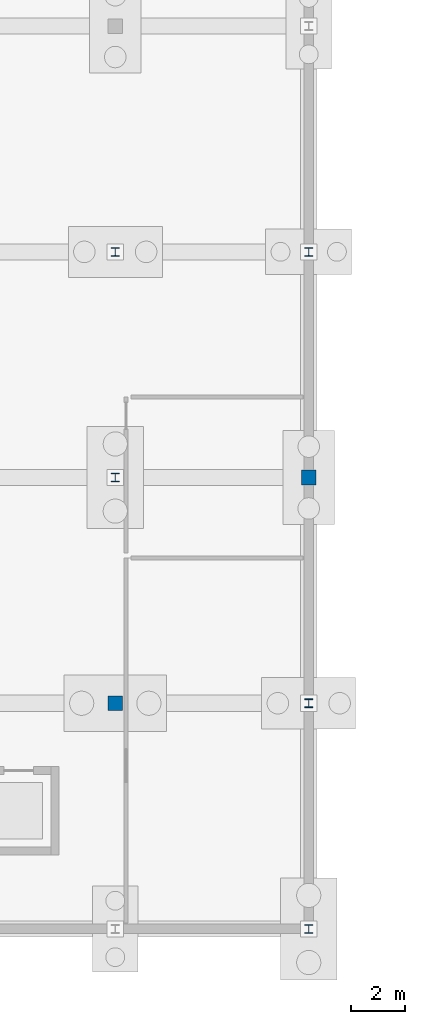
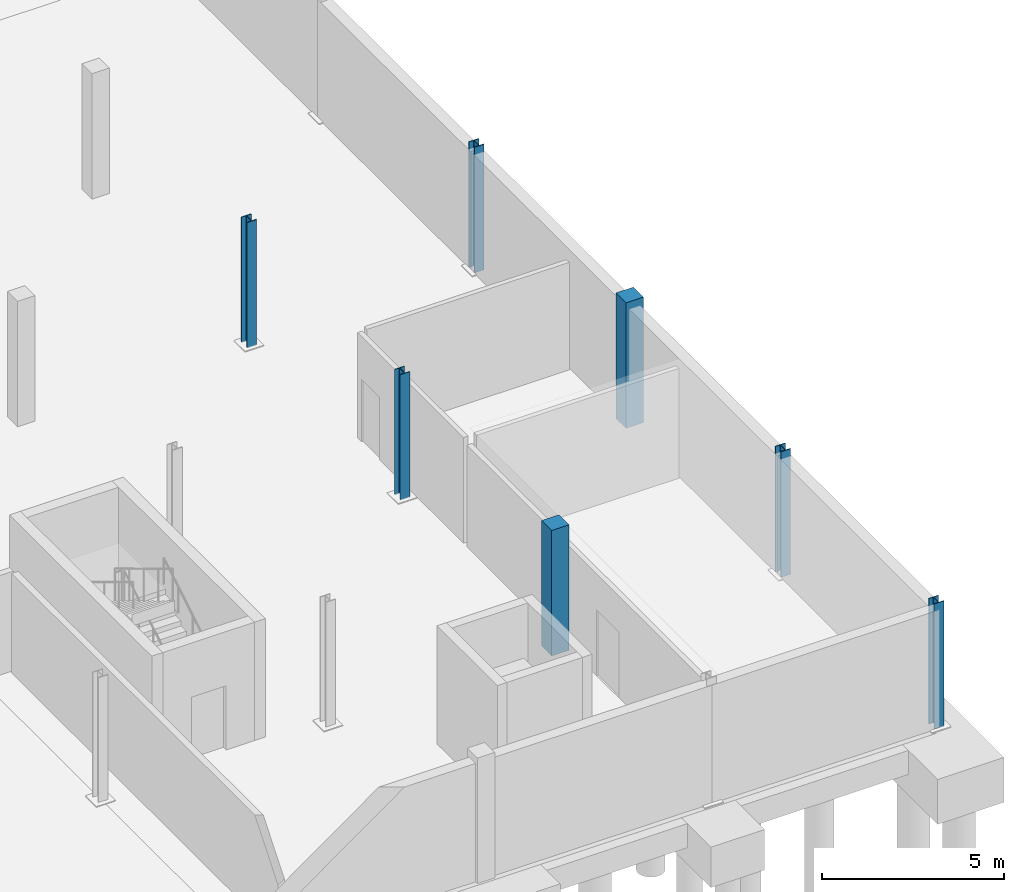
# One storey, part 7 of 32: 7 columns.
"""IFC4 building model written with IfcOpenShell, lengths in metres."""

from ifc_helpers import new_model, si_unit, direction, frame, origin, origin_2d, place, context, subcontext, project, spatial, rectangle, i_section, extrude, material, material_profile, profile_set, type_object, element, save


model = new_model("IFC4")

# Units and contexts
model_context = context("Model", 3, precision=1e-05, world=origin(), true_north=direction((0.0, 1.0)))
body_context = subcontext(model_context, "Body", "Model", "MODEL_VIEW")
ifc_project = project(units=[si_unit("LENGTHUNIT", "METRE"), si_unit("AREAUNIT", "SQUARE_METRE"), si_unit("VOLUMEUNIT", "CUBIC_METRE"), si_unit("PLANEANGLEUNIT", "RADIAN"), si_unit("MASSUNIT", "GRAM", prefix="KILO")], contexts=[model_context])

# Site, building, storey
site_placement = place(None, origin())
site = spatial("IfcSite", under=ifc_project, at=site_placement, CompositionType="ELEMENT")
building_placement = place(site_placement, origin())
building = spatial("IfcBuilding", under=site, at=building_placement, Name="Qelthora Terrace Specialist Clinic", CompositionType="ELEMENT")
storey_placement = place(building_placement, frame((0.0, 0.0, -4.199951171875)))
storey = spatial("IfcBuildingStorey", under=building, at=storey_placement, Name="B1", CompositionType="ELEMENT", Elevation=-4.199951171875)

# Columns
ifc_material_1 = material(Name="Concrete C40/50", Category="concrete")
ifc_material_profile_1 = material_profile(ifc_material_1, rectangle(XDim=0.550048828125, YDim=0.550048828125, at=origin_2d()), Name="RC550X550")
ifc_profile_set_1 = profile_set([ifc_material_profile_1], Name="Concrete C40/50")
column_type_1 = type_object("IfcColumnType", Name="COL-RC550", PredefinedType="COLUMN", material=ifc_profile_set_1)
for number, where, z_axis, x_axis, name in (
    (1, (36.0, 8.39990234375, 0.0), (0.0, 0.0, 1.0), (1.0, 0.0, 0.0), "Column B1-066"),
    (2, (43.199951171875, 16.800048828125, 0.0), (0.0, 0.0, 1.0), (1.0, 0.0, 0.0), "Column B1-081"),
):
    element("IfcColumn", number, at=place(storey_placement, frame(where, z_axis=z_axis, x_axis=x_axis)), inside=storey, type_object=column_type_1, Name=name, PredefinedType="COLUMN", context=body_context, shape_type="SweptSolid", body=[
        extrude(rectangle(XDim=0.550048828125, YDim=0.550048828125, at=origin_2d()), origin(), (0.0, 0.0, 1.0), 4.199951171875),
    ])
ifc_material_2 = material(Name="Steel S355", Category="steel")
ifc_material_profile_2 = material_profile(ifc_material_2, i_section(OverallWidth=0.30810546875, OverallDepth=0.318115234375, WebThickness=0.01318359375, FlangeThickness=0.0205078125, FilletRadius=0.01611328125, at=origin_2d()), Name="W310X129")
ifc_profile_set_2 = profile_set([ifc_material_profile_2], Name="Steel S355")
column_type_2 = type_object("IfcColumnType", Name="COL-W310X129", PredefinedType="COLUMN", material=ifc_profile_set_2)
for number, where, z_axis, x_axis, name in (
    (3, (36.0, 16.800048828125, 0.0), (0.0, 0.0, 1.0), (1.0, 0.0, 0.0), "Column B1-067"),
    (4, (43.199951171875, 0.0, 0.0), (0.0, 0.0, 1.0), (1.0, 0.0, 0.0), "Column B1-079"),
):
    element("IfcColumn", number, at=place(storey_placement, frame(where, z_axis=z_axis, x_axis=x_axis)), inside=storey, type_object=column_type_2, Name=name, PredefinedType="COLUMN", context=body_context, shape_type="SweptSolid", body=[
        extrude(i_section(OverallWidth=0.30810546875, OverallDepth=0.318115234375, WebThickness=0.01318359375, FlangeThickness=0.0205078125, FilletRadius=0.01611328125, at=origin_2d()), origin(), (0.0, 0.0, 1.0), 4.199951171875),
    ])
ifc_material_profile_3 = material_profile(ifc_material_2, i_section(OverallWidth=0.30908203125, OverallDepth=0.322998046875, WebThickness=0.013916015625, FlangeThickness=0.02294921875, FilletRadius=0.01611328125, at=origin_2d()), Name="W310X143")
ifc_profile_set_3 = profile_set([ifc_material_profile_3], Name="Steel S355")
column_type_3 = type_object("IfcColumnType", Name="COL-W310X143", PredefinedType="COLUMN", material=ifc_profile_set_3)
for number, where, z_axis, x_axis, name in (
    (5, (36.0, 25.199951171875, 0.0), (0.0, 0.0, 1.0), (1.0, 0.0, 0.0), "Column B1-068"),
    (6, (43.199951171875, 8.39990234375, 0.0), (0.0, 0.0, 1.0), (1.0, 0.0, 0.0), "Column B1-080"),
    (7, (43.199951171875, 25.199951171875, 0.0), (0.0, 0.0, 1.0), (1.0, 0.0, 0.0), "Column B1-082"),
):
    element("IfcColumn", number, at=place(storey_placement, frame(where, z_axis=z_axis, x_axis=x_axis)), inside=storey, type_object=column_type_3, Name=name, PredefinedType="COLUMN", context=body_context, shape_type="SweptSolid", body=[
        extrude(i_section(OverallWidth=0.30908203125, OverallDepth=0.322998046875, WebThickness=0.013916015625, FlangeThickness=0.02294921875, FilletRadius=0.01611328125, at=origin_2d()), origin(), (0.0, 0.0, 1.0), 4.199951171875),
    ])

save(model, "model.ifc")
